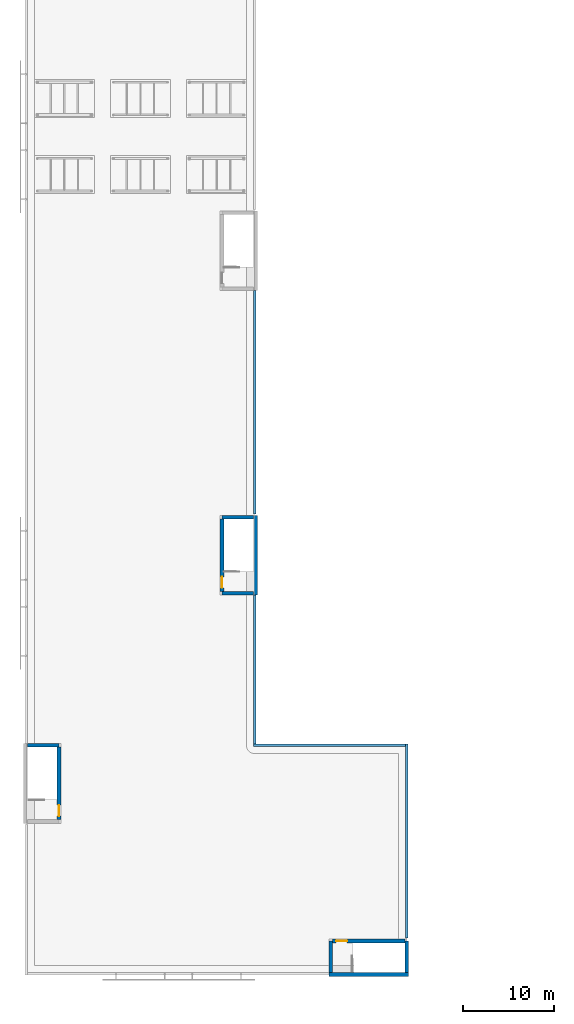
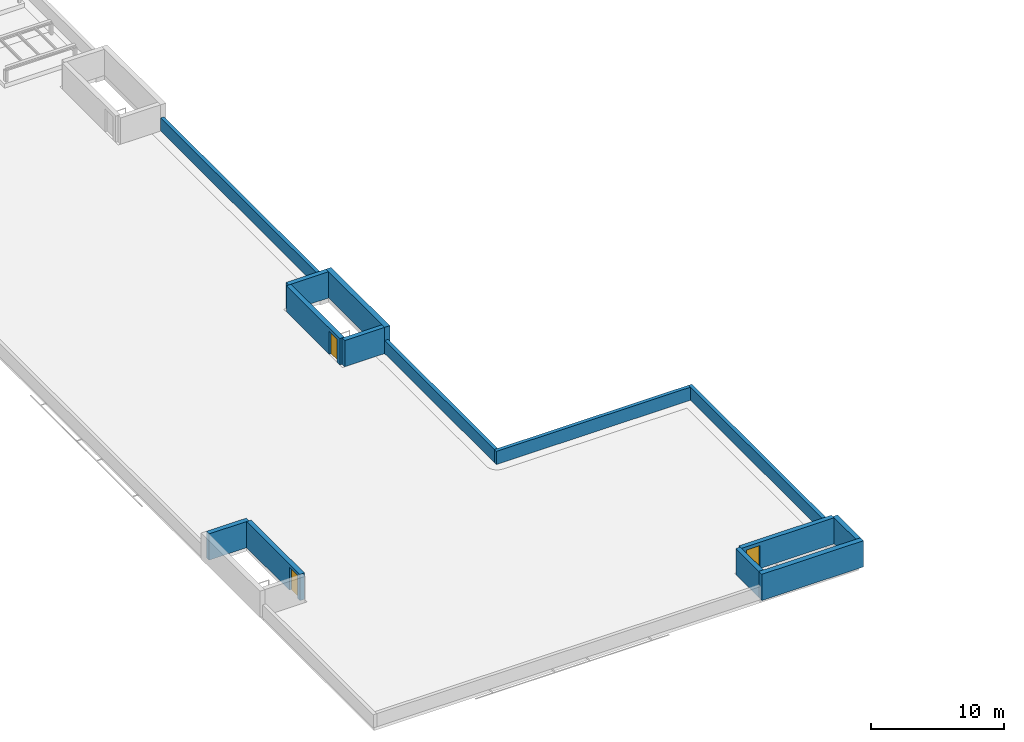
# One storey, part 10 of 18: 14 walls, 3 doors, 3 openings.
"""IFC4 building model written with IfcOpenShell, lengths in metres."""

from ifc_helpers import new_model, si_unit, direction, frame, frame_2d, origin, place, context, subcontext, project, spatial, rectangle, extrude, material, layer, layer_set, type_object, element, fill, save


model = new_model("IFC4")

# Units and contexts
model_context = context("Model", 3, precision=1e-05, world=origin(), true_north=direction((0.0, 1.0)))
body_context = subcontext(model_context, "Body", "Model", "MODEL_VIEW")
ifc_project = project(units=[si_unit("LENGTHUNIT", "METRE"), si_unit("AREAUNIT", "SQUARE_METRE"), si_unit("VOLUMEUNIT", "CUBIC_METRE"), si_unit("PLANEANGLEUNIT", "RADIAN"), si_unit("MASSUNIT", "GRAM", prefix="KILO")], contexts=[model_context])

# Site, building, storey
site_placement = place(None, origin())
site = spatial("IfcSite", under=ifc_project, at=site_placement, CompositionType="ELEMENT")
building_placement = place(site_placement, origin())
building = spatial("IfcBuilding", under=site, at=building_placement, Name="Yavir Park General Hospital", CompositionType="ELEMENT")
storey_placement = place(building_placement, frame((0.0, 0.0, 29.699951171875)))
storey = spatial("IfcBuildingStorey", under=building, at=storey_placement, Name="RF", CompositionType="ELEMENT", Elevation=29.699951171875)

# Wall
ifc_material_1 = material(Name="Concrete C35/45", Category="concrete")
ifc_layer_1 = layer(ifc_material_1, 0.39990234375)
ifc_layer_set_1 = layer_set([ifc_layer_1], Name="Concrete C35/45")
wall_type_1 = type_object("IfcWallType", Name="Reinforced concrete core wall 400, REI 150", PredefinedType="SHEAR", material=ifc_layer_set_1)
wall_1_placement = place(storey_placement, frame((0.14990234375, 25.199951171875, 0.0), z_axis=(0.0, 0.0, 1.0), x_axis=(1.0, 0.0, 0.0)))
element("IfcWall", 1, at=wall_1_placement, inside=storey, type_object=wall_type_1, Name="Head-house end wall SU1 E2", PredefinedType="SHEAR", context=body_context, shape_type="SweptSolid", body=[
    extrude(rectangle(XDim=3.4501953125, YDim=0.39990234375, at=frame_2d((1.72509765625, 0.0))), origin(), (0.0, 0.0, 1.0), 2.400146484375),
])

# Wall, opening, door
wall_2_placement = place(storey_placement, frame((3.60009765625, 17.0, 0.0), z_axis=(0.0, 0.0, 1.0), x_axis=(0.0, 1.0, 0.0)))
wall_2 = element("IfcWall", 2, at=wall_2_placement, inside=storey, type_object=wall_type_1, Name="Head-house landing wall SU1", PredefinedType="SHEAR", context=body_context, shape_type="SweptSolid", body=[
    extrude(rectangle(XDim=8.0, YDim=0.39990234375, at=frame_2d((4.0, 0.0))), origin(), (0.0, 0.0, 1.0), 2.400146484375),
])
opening_1_placement = place(wall_2_placement, frame((0.39990234375, 0.0, 0.0)))
opening_1 = element("IfcOpeningElement", 3, at=opening_1_placement, cuts=wall_2, Name="Opening RF.X01", PredefinedType="OPENING", context=body_context, shape_type="SweptSolid", body=[
    extrude(rectangle(XDim=1.199951171875, YDim=2.10009765625, at=frame_2d((0.60009765625, 1.050048828125))), frame((0.0, 0.2099609375, 0.0), z_axis=(0.0, -1.0, 0.0), x_axis=(1.0, 0.0, 0.0)), (0.0, 0.0, 1.0), 0.419921875),
])
ifc_material_2 = material(Name="Steel frame, fire-resisting timber leaf", Category="steel")
door_type = type_object("IfcDoorType", Name="Fire door 1200 x 2100, EI 60", OperationType="SINGLE_SWING_LEFT", PredefinedType="DOOR", material=ifc_material_2)
door_1_placement = place(opening_1_placement, frame((1.199951171875, 0.0, 0.0), x_axis=(-1.0, 0.0, 0.0)))
door_1 = element("IfcDoor", 4, at=door_1_placement, inside=storey, type_object=door_type, Name="RF.X01", OperationType="SINGLE_SWING_LEFT", OverallHeight=2.10009765625, OverallWidth=1.199951171875, PredefinedType="DOOR", context=body_context, shape_type="SweptSolid", body=[
    extrude(rectangle(XDim=1.199951171875, YDim=2.10009765625, at=frame_2d((0.60009765625, 1.050048828125))), frame((0.0, 0.02490234375, 0.0), z_axis=(0.0, -1.0, 0.0), x_axis=(1.0, 0.0, 0.0)), (0.0, 0.0, 1.0), 0.050048828125),
])
fill(opening_1, door_1)

# Walls
for number, where, z_axis, x_axis, name in (
    (5, (33.60009765625, 0.14990234375, 0.0), (0.0, 0.0, 1.0), (0.0, 1.0, 0.0), "Head-house end wall SU2 E1"),
    (6, (42.0, 0.14990234375, 0.0), (0.0, 0.0, 1.0), (0.0, 1.0, 0.0), "Head-house end wall SU2 E2"),
):
    element("IfcWall", number, at=place(storey_placement, frame(where, z_axis=z_axis, x_axis=x_axis)), inside=storey, type_object=wall_type_1, Name=name, PredefinedType="SHEAR", context=body_context, shape_type="SweptSolid", body=[
        extrude(rectangle(XDim=3.4501953125, YDim=0.39990234375, at=frame_2d((1.72509765625, 0.0))), origin(), (0.0, 0.0, 1.0), 2.400146484375),
    ])

# Wall, opening, door
wall_3_placement = place(storey_placement, frame((33.800048828125, 3.60009765625, 0.0), z_axis=(0.0, 0.0, 1.0), x_axis=(1.0, 0.0, 0.0)))
wall_3 = element("IfcWall", 7, at=wall_3_placement, inside=storey, type_object=wall_type_1, Name="Head-house landing wall SU2", PredefinedType="SHEAR", context=body_context, shape_type="SweptSolid", body=[
    extrude(rectangle(XDim=8.0, YDim=0.39990234375, at=frame_2d((4.0, 0.0))), origin(), (0.0, 0.0, 1.0), 2.400146484375),
])
opening_2_placement = place(wall_3_placement, frame((0.39990234375, 0.0, 0.0)))
opening_2 = element("IfcOpeningElement", 8, at=opening_2_placement, cuts=wall_3, Name="Opening RF.X02", PredefinedType="OPENING", context=body_context, shape_type="SweptSolid", body=[
    extrude(rectangle(XDim=1.199951171875, YDim=2.10009765625, at=frame_2d((0.60009765625, 1.050048828125))), frame((0.0, 0.2099609375, 0.0), z_axis=(0.0, -1.0, 0.0), x_axis=(1.0, 0.0, 0.0)), (0.0, 0.0, 1.0), 0.419921875),
])
door_2_placement = place(opening_2_placement, origin())
door_2 = element("IfcDoor", 9, at=door_2_placement, inside=storey, type_object=door_type, Name="RF.X02", OperationType="SINGLE_SWING_RIGHT", OverallHeight=2.10009765625, OverallWidth=1.199951171875, PredefinedType="DOOR", context=body_context, shape_type="SweptSolid", body=[
    extrude(rectangle(XDim=1.199951171875, YDim=2.10009765625, at=frame_2d((0.60009765625, 1.050048828125))), frame((0.0, 0.02490234375, 0.0), z_axis=(0.0, -1.0, 0.0), x_axis=(1.0, 0.0, 0.0)), (0.0, 0.0, 1.0), 0.050048828125),
])
fill(opening_2, door_2)

# Walls
for number, where, z_axis, x_axis, name in (
    (10, (25.050048828125, 42.0, 0.0), (0.0, 0.0, 1.0), (-1.0, 0.0, 0.0), "Head-house end wall SW1 E1"),
    (11, (25.050048828125, 50.39990234375, 0.0), (0.0, 0.0, 1.0), (-1.0, 0.0, 0.0), "Head-house end wall SW1 E2"),
):
    element("IfcWall", number, at=place(storey_placement, frame(where, z_axis=z_axis, x_axis=x_axis)), inside=storey, type_object=wall_type_1, Name=name, PredefinedType="SHEAR", context=body_context, shape_type="SweptSolid", body=[
        extrude(rectangle(XDim=3.449951171875, YDim=0.39990234375, at=frame_2d((1.72509765625, 0.0))), origin(), (0.0, 0.0, 1.0), 2.400146484375),
    ])

# Wall, opening, door
wall_4_placement = place(storey_placement, frame((21.60009765625, 42.199951171875, 0.0), z_axis=(0.0, 0.0, 1.0), x_axis=(0.0, 1.0, 0.0)))
wall_4 = element("IfcWall", 12, at=wall_4_placement, inside=storey, type_object=wall_type_1, Name="Head-house landing wall SW1", PredefinedType="SHEAR", context=body_context, shape_type="SweptSolid", body=[
    extrude(rectangle(XDim=8.0, YDim=0.39990234375, at=frame_2d((4.0, 0.0))), origin(), (0.0, 0.0, 1.0), 2.400146484375),
])
opening_3_placement = place(wall_4_placement, frame((0.39990234375, 0.0, 0.0)))
opening_3 = element("IfcOpeningElement", 13, at=opening_3_placement, cuts=wall_4, Name="Opening RF.X06", PredefinedType="OPENING", context=body_context, shape_type="SweptSolid", body=[
    extrude(rectangle(XDim=1.199951171875, YDim=2.10009765625, at=frame_2d((0.60009765625, 1.050048828125))), frame((0.0, 0.2099609375, 0.0), z_axis=(0.0, -1.0, 0.0), x_axis=(1.0, 0.0, 0.0)), (0.0, 0.0, 1.0), 0.419921875),
])
door_3_placement = place(opening_3_placement, origin())
door_3 = element("IfcDoor", 14, at=door_3_placement, inside=storey, type_object=door_type, Name="RF.X06", OperationType="SINGLE_SWING_RIGHT", OverallHeight=2.10009765625, OverallWidth=1.199951171875, PredefinedType="DOOR", context=body_context, shape_type="SweptSolid", body=[
    extrude(rectangle(XDim=1.199951171875, YDim=2.10009765625, at=frame_2d((0.60009765625, 1.050048828125))), frame((0.0, 0.02490234375, 0.0), z_axis=(0.0, -1.0, 0.0), x_axis=(1.0, 0.0, 0.0)), (0.0, 0.0, 1.0), 0.050048828125),
])
fill(opening_3, door_3)

# Walls
ifc_material_3 = material(Name="Concrete C30/37", Category="concrete")
ifc_layer_2 = layer(ifc_material_3, 0.300048828125)
ifc_layer_set_2 = layer_set([ifc_layer_2], Name="Concrete C30/37")
wall_type_2 = type_object("IfcWallType", Name="Roof parapet 300 x 1200", PredefinedType="PARAPET", material=ifc_layer_set_2)
wall_5_placement = place(storey_placement, frame((42.0, 3.949951171875, 0.0), z_axis=(0.0, 0.0, 1.0), x_axis=(0.0, 1.0, 0.0)))
element("IfcWall", 15, at=wall_5_placement, inside=storey, type_object=wall_type_2, Name="Parapet L060-0.0.0", PredefinedType="PARAPET", context=body_context, shape_type="SweptSolid", body=[
    extrude(rectangle(XDim=21.400146484375, YDim=0.300048828125, at=frame_2d((10.7001953125, 0.0))), origin(), (0.0, 0.0, 1.0), 1.199951171875),
])
wall_6_placement = place(storey_placement, frame((41.85009765625, 25.199951171875, 0.0), z_axis=(0.0, 0.0, 1.0), x_axis=(-1.0, 0.0, 0.0)))
element("IfcWall", 16, at=wall_6_placement, inside=storey, type_object=wall_type_2, Name="Parapet L060-0.0.1", PredefinedType="PARAPET", context=body_context, shape_type="SweptSolid", body=[
    extrude(rectangle(XDim=16.800048828125, YDim=0.300048828125, at=frame_2d((8.39990234375, 0.0))), origin(), (0.0, 0.0, 1.0), 1.199951171875),
])
wall_7_placement = place(storey_placement, frame((25.199951171875, 25.35009765625, 0.0), z_axis=(0.0, 0.0, 1.0), x_axis=(0.0, 1.0, 0.0)))
element("IfcWall", 17, at=wall_7_placement, inside=storey, type_object=wall_type_2, Name="Parapet L060-0.0.2", PredefinedType="PARAPET", context=body_context, shape_type="SweptSolid", body=[
    extrude(rectangle(XDim=16.449951171875, YDim=0.300048828125, at=frame_2d((8.22509765625, 0.0))), origin(), (0.0, 0.0, 1.0), 1.199951171875),
])
wall_8_placement = place(storey_placement, frame((25.199951171875, 50.75, 0.0), z_axis=(0.0, 0.0, 1.0), x_axis=(0.0, 1.0, 0.0)))
element("IfcWall", 18, at=wall_8_placement, inside=storey, type_object=wall_type_2, Name="Parapet L060-0.1.0", PredefinedType="PARAPET", context=body_context, shape_type="SweptSolid", body=[
    extrude(rectangle(XDim=24.64990234375, YDim=0.300048828125, at=frame_2d((12.324951171875, 0.0))), origin(), (0.0, 0.0, 1.0), 1.199951171875),
])
ifc_material_4 = material(Name="Concrete C30/37 precast panel with 150 mm mineral wool insulation", Category="concrete")
ifc_layer_3 = layer(ifc_material_4, 0.449951171875)
ifc_layer_set_3 = layer_set([ifc_layer_3], Name="Concrete C30/37 precast panel with 150 mm mineral wool insulation")
wall_type_3 = type_object("IfcWallType", Name="Stair enclosure wall 450, REI 150", PredefinedType="SOLIDWALL", material=ifc_layer_set_3)
for number, where, z_axis, x_axis, name in (
    (19, (33.39990234375, -0.074951171875, 0.0), (0.0, 0.0, 1.0), (1.0, 0.0, 0.0), "Head-house facade wall SU2"),
    (20, (25.27490234375, 41.800048828125, 0.0), (0.0, 0.0, 1.0), (0.0, 1.0, 0.0), "Head-house facade wall SW1"),
):
    element("IfcWall", number, at=place(storey_placement, frame(where, z_axis=z_axis, x_axis=x_axis)), inside=storey, type_object=wall_type_3, Name=name, PredefinedType="SOLIDWALL", context=body_context, shape_type="SweptSolid", body=[
        extrude(rectangle(XDim=8.800048828125, YDim=0.449951171875, at=frame_2d((4.39990234375, 0.0))), origin(), (0.0, 0.0, 1.0), 2.400146484375),
    ])

save(model, "model.ifc")
